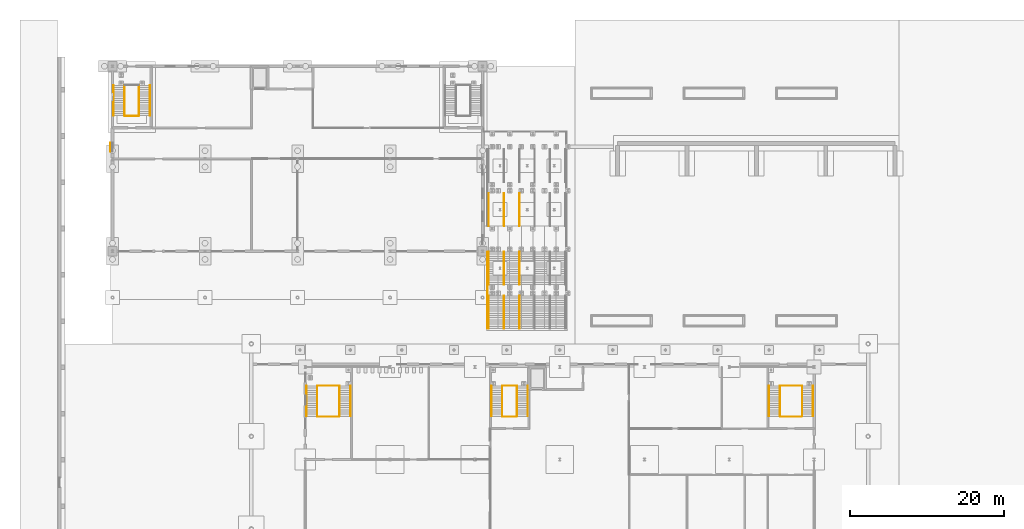
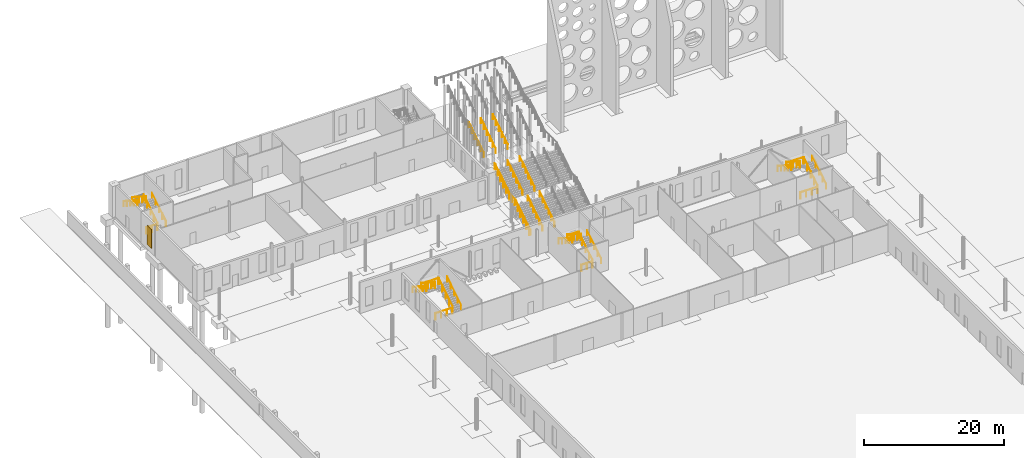
# One storey, part 125 of 132: 33 railings, 1 shading device.
"""IFC4 building model written with IfcOpenShell, lengths in metres."""

from ifc_helpers import new_model, si_unit, direction, frame, origin, origin_2d, place, context, subcontext, project, spatial, rectangle, circle, extrude, material, layer, layer_set, type_object, element, save


model = new_model("IFC4")

# Units and contexts
model_context = context("Model", 3, precision=1e-05, world=origin(), true_north=direction((0.0, 1.0)))
body_context = subcontext(model_context, "Body", "Model", "MODEL_VIEW")
ifc_project = project(units=[si_unit("LENGTHUNIT", "METRE"), si_unit("AREAUNIT", "SQUARE_METRE"), si_unit("VOLUMEUNIT", "CUBIC_METRE"), si_unit("PLANEANGLEUNIT", "RADIAN"), si_unit("MASSUNIT", "GRAM", prefix="KILO")], contexts=[model_context])

# Site, building, storey
site_placement = place(None, origin())
site = spatial("IfcSite", under=ifc_project, at=site_placement, CompositionType="ELEMENT")
building_placement = place(site_placement, origin())
building = spatial("IfcBuilding", under=site, at=building_placement, Name="Ravi Spectrum Wholesale Market", CompositionType="ELEMENT")
storey_placement = place(building_placement, origin())
storey = spatial("IfcBuildingStorey", under=building, at=storey_placement, Name="L00", CompositionType="ELEMENT", Elevation=0.0)

# Railings
ifc_material_1 = material(Name="Steel S355", Category="steel")
railing_type_1 = type_object("IfcRailingType", Name="Guard 1100", PredefinedType="GUARDRAIL", material=ifc_material_1)
railing_1_placement = place(storey_placement, frame((60.64990234375, 200.0, 0.0)))
element("IfcRailing", 1, at=railing_1_placement, inside=storey, type_object=railing_type_1, Name="GW-RL-L00-003", PredefinedType="GUARDRAIL", context=body_context, shape_type="SweptSolid", body=[
    extrude(circle(Radius=0.02392578125, at=origin_2d()), frame((0.0, 0.0, 1.076171875), z_axis=(0.0, 0.841180064094, 0.540755119968), x_axis=(-1.0, 0.0, 0.0)), (0.0, 0.0, 1.0), 4.992919921875),
    extrude(circle(Radius=0.02392578125, at=origin_2d()), frame((0.0, 4.199951171875, 3.77587890625), z_axis=(0.0, 1.0, 0.0), x_axis=(-1.0, 0.0, 0.0)), (0.0, 0.0, 1.0), 1.5),
    extrude(circle(Radius=0.02392578125, at=origin_2d()), frame((0.0, 5.699951171875, 3.77587890625), z_axis=(0.0, 0.841180064094, 0.540755119968), x_axis=(-1.0, 0.0, 0.0)), (0.0, 0.0, 1.0), 4.992919921875),
    extrude(circle(Radius=0.02099609375, at=origin_2d()), origin(), (0.0, 0.0, 1.0), 1.052001953125),
    extrude(circle(Radius=0.02099609375, at=origin_2d()), frame((0.0, 0.840087890625, 0.5400390625)), (0.0, 0.0, 1.0), 1.052001953125),
    extrude(circle(Radius=0.02099609375, at=origin_2d()), frame((0.0, 1.679931640625, 1.080078125)), (0.0, 0.0, 1.0), 1.052001953125),
    extrude(circle(Radius=0.02099609375, at=origin_2d()), frame((0.0, 2.52001953125, 1.619873046875)), (0.0, 0.0, 1.0), 1.052001953125),
    extrude(circle(Radius=0.02099609375, at=origin_2d()), frame((0.0, 3.35986328125, 2.159912109375)), (0.0, 0.0, 1.0), 1.052001953125),
    extrude(circle(Radius=0.02099609375, at=origin_2d()), frame((0.0, 4.199951171875, 2.699951171875)), (0.0, 0.0, 1.0), 1.052001953125),
    extrude(circle(Radius=0.02099609375, at=origin_2d()), frame((0.0, 4.949951171875, 2.699951171875)), (0.0, 0.0, 1.0), 1.052001953125),
    extrude(circle(Radius=0.02099609375, at=origin_2d()), frame((0.0, 5.699951171875, 2.699951171875)), (0.0, 0.0, 1.0), 1.052001953125),
    extrude(circle(Radius=0.02099609375, at=origin_2d()), frame((0.0, 6.5400390625, 3.239990234375)), (0.0, 0.0, 1.0), 1.052001953125),
    extrude(circle(Radius=0.02099609375, at=origin_2d()), frame((0.0, 7.3798828125, 3.780029296875)), (0.0, 0.0, 1.0), 1.052001953125),
    extrude(circle(Radius=0.02099609375, at=origin_2d()), frame((0.0, 8.219970703125, 4.31982421875)), (0.0, 0.0, 1.0), 1.052001953125),
    extrude(circle(Radius=0.02099609375, at=origin_2d()), frame((0.0, 9.059814453125, 4.85986328125)), (0.0, 0.0, 1.0), 1.052001953125),
    extrude(circle(Radius=0.02099609375, at=origin_2d()), frame((0.0, 9.89990234375, 5.39990234375)), (0.0, 0.0, 1.0), 1.052001953125),
])
railing_2_placement = place(storey_placement, frame((41.449951171875, 188.60009765625, 0.179931640625)))
element("IfcRailing", 2, at=railing_2_placement, inside=storey, type_object=railing_type_1, Name="L00 S-H1-1 stair guard 1", PredefinedType="GUARDRAIL", context=body_context, shape_type="SweptSolid", body=[
    extrude(circle(Radius=0.02392578125, at=origin_2d()), frame((0.0, 0.0, 1.076171875), z_axis=(0.0, 0.841171666519, 0.540768182723), x_axis=(-1.0, 0.0, 0.0)), (0.0, 0.0, 1.0), 4.66015625),
    extrude(circle(Radius=0.02099609375, at=origin_2d()), origin(), (0.0, 0.0, 1.0), 1.052001953125),
    extrude(circle(Radius=0.02099609375, at=origin_2d()), frame((0.0, 0.97998046875, 0.6298828125)), (0.0, 0.0, 1.0), 1.052001953125),
    extrude(circle(Radius=0.02099609375, at=origin_2d()), frame((0.0, 1.9599609375, 1.260009765625)), (0.0, 0.0, 1.0), 1.052001953125),
    extrude(circle(Radius=0.02099609375, at=origin_2d()), frame((0.0, 2.93994140625, 1.89013671875)), (0.0, 0.0, 1.0), 1.052001953125),
    extrude(circle(Radius=0.02099609375, at=origin_2d()), frame((0.0, 3.919921875, 2.52001953125)), (0.0, 0.0, 1.0), 1.052001953125),
])
railing_3_placement = place(storey_placement, frame((41.39990234375, 192.570068359375, 2.699951171875)))
element("IfcRailing", 3, at=railing_3_placement, inside=storey, type_object=railing_type_1, Name="L00 S-H1-1 stair guard 2", PredefinedType="GUARDRAIL", context=body_context, shape_type="SweptSolid", body=[
    extrude(circle(Radius=0.02392578125, at=origin_2d()), frame((0.0, 0.0, 1.076171875), z_axis=(-1.0, 0.0, 0.0), x_axis=(0.0, -1.0, 0.0)), (0.0, 0.0, 1.0), 2.7998046875),
    extrude(circle(Radius=0.02099609375, at=origin_2d()), origin(), (0.0, 0.0, 1.0), 1.052001953125),
    extrude(circle(Radius=0.02099609375, at=origin_2d()), frame((-0.933349609375, 0.0, 0.0)), (0.0, 0.0, 1.0), 1.052001953125),
    extrude(circle(Radius=0.02099609375, at=origin_2d()), frame((-1.866455078125, 0.0, 0.0)), (0.0, 0.0, 1.0), 1.052001953125),
    extrude(circle(Radius=0.02099609375, at=origin_2d()), frame((-2.7998046875, 0.0, 0.0)), (0.0, 0.0, 1.0), 1.052001953125),
])
railing_4_placement = place(storey_placement, frame((38.550048828125, 192.52001953125, 2.8798828125)))
element("IfcRailing", 4, at=railing_4_placement, inside=storey, type_object=railing_type_1, Name="L00 S-H1-1 stair guard 3", PredefinedType="GUARDRAIL", context=body_context, shape_type="SweptSolid", body=[
    extrude(circle(Radius=0.02392578125, at=origin_2d()), frame((0.0, 0.0, 1.076171875), z_axis=(0.0, -0.841171666519, 0.540768182723), x_axis=(1.0, 0.0, 0.0)), (0.0, 0.0, 1.0), 4.66015625),
    extrude(circle(Radius=0.02099609375, at=origin_2d()), origin(), (0.0, 0.0, 1.0), 1.052001953125),
    extrude(circle(Radius=0.02099609375, at=origin_2d()), frame((0.0, -0.97998046875, 0.6298828125)), (0.0, 0.0, 1.0), 1.052001953125),
    extrude(circle(Radius=0.02099609375, at=origin_2d()), frame((0.0, -1.9599609375, 1.260009765625)), (0.0, 0.0, 1.0), 1.052001953125),
    extrude(circle(Radius=0.02099609375, at=origin_2d()), frame((0.0, -2.93994140625, 1.89013671875)), (0.0, 0.0, 1.0), 1.052001953125),
    extrude(circle(Radius=0.02099609375, at=origin_2d()), frame((0.0, -3.919921875, 2.52001953125)), (0.0, 0.0, 1.0), 1.052001953125),
])
railing_5_placement = place(storey_placement, frame((41.39990234375, 188.550048828125, 0.0)))
element("IfcRailing", 5, at=railing_5_placement, inside=storey, type_object=railing_type_1, Name="L00 S-H1-1 stair guard 4", PredefinedType="GUARDRAIL", context=body_context, shape_type="SweptSolid", body=[
    extrude(circle(Radius=0.02392578125, at=origin_2d()), frame((0.0, 0.0, 1.076171875), z_axis=(-1.0, 0.0, 0.0), x_axis=(0.0, -1.0, 0.0)), (0.0, 0.0, 1.0), 2.7998046875),
    extrude(circle(Radius=0.02099609375, at=origin_2d()), origin(), (0.0, 0.0, 1.0), 1.052001953125),
    extrude(circle(Radius=0.02099609375, at=origin_2d()), frame((-0.933349609375, 0.0, 0.0)), (0.0, 0.0, 1.0), 1.052001953125),
    extrude(circle(Radius=0.02099609375, at=origin_2d()), frame((-1.866455078125, 0.0, 0.0)), (0.0, 0.0, 1.0), 1.052001953125),
    extrude(circle(Radius=0.02099609375, at=origin_2d()), frame((-2.7998046875, 0.0, 0.0)), (0.0, 0.0, 1.0), 1.052001953125),
])
railing_6_placement = place(storey_placement, frame((101.449951171875, 188.60009765625, 0.179931640625)))
element("IfcRailing", 6, at=railing_6_placement, inside=storey, type_object=railing_type_1, Name="L00 S-H1-2 stair guard 1", PredefinedType="GUARDRAIL", context=body_context, shape_type="SweptSolid", body=[
    extrude(circle(Radius=0.02392578125, at=origin_2d()), frame((0.0, 0.0, 1.076171875), z_axis=(0.0, 0.841171666519, 0.540768182723), x_axis=(-1.0, 0.0, 0.0)), (0.0, 0.0, 1.0), 4.66015625),
    extrude(circle(Radius=0.02099609375, at=origin_2d()), origin(), (0.0, 0.0, 1.0), 1.052001953125),
    extrude(circle(Radius=0.02099609375, at=origin_2d()), frame((0.0, 0.97998046875, 0.6298828125)), (0.0, 0.0, 1.0), 1.052001953125),
    extrude(circle(Radius=0.02099609375, at=origin_2d()), frame((0.0, 1.9599609375, 1.260009765625)), (0.0, 0.0, 1.0), 1.052001953125),
    extrude(circle(Radius=0.02099609375, at=origin_2d()), frame((0.0, 2.93994140625, 1.89013671875)), (0.0, 0.0, 1.0), 1.052001953125),
    extrude(circle(Radius=0.02099609375, at=origin_2d()), frame((0.0, 3.919921875, 2.52001953125)), (0.0, 0.0, 1.0), 1.052001953125),
])
railing_7_placement = place(storey_placement, frame((101.39990234375, 192.570068359375, 2.699951171875)))
element("IfcRailing", 7, at=railing_7_placement, inside=storey, type_object=railing_type_1, Name="L00 S-H1-2 stair guard 2", PredefinedType="GUARDRAIL", context=body_context, shape_type="SweptSolid", body=[
    extrude(circle(Radius=0.02392578125, at=origin_2d()), frame((0.0, 0.0, 1.076171875), z_axis=(-1.0, 0.0, 0.0), x_axis=(0.0, -1.0, 0.0)), (0.0, 0.0, 1.0), 2.7998046875),
    extrude(circle(Radius=0.02099609375, at=origin_2d()), origin(), (0.0, 0.0, 1.0), 1.052001953125),
    extrude(circle(Radius=0.02099609375, at=origin_2d()), frame((-0.933349609375, 0.0, 0.0)), (0.0, 0.0, 1.0), 1.052001953125),
    extrude(circle(Radius=0.02099609375, at=origin_2d()), frame((-1.866455078125, 0.0, 0.0)), (0.0, 0.0, 1.0), 1.052001953125),
    extrude(circle(Radius=0.02099609375, at=origin_2d()), frame((-2.7998046875, 0.0, 0.0)), (0.0, 0.0, 1.0), 1.052001953125),
])
railing_8_placement = place(storey_placement, frame((98.550048828125, 192.52001953125, 2.8798828125)))
element("IfcRailing", 8, at=railing_8_placement, inside=storey, type_object=railing_type_1, Name="L00 S-H1-2 stair guard 3", PredefinedType="GUARDRAIL", context=body_context, shape_type="SweptSolid", body=[
    extrude(circle(Radius=0.02392578125, at=origin_2d()), frame((0.0, 0.0, 1.076171875), z_axis=(0.0, -0.841171666519, 0.540768182723), x_axis=(1.0, 0.0, 0.0)), (0.0, 0.0, 1.0), 4.66015625),
    extrude(circle(Radius=0.02099609375, at=origin_2d()), origin(), (0.0, 0.0, 1.0), 1.052001953125),
    extrude(circle(Radius=0.02099609375, at=origin_2d()), frame((0.0, -0.97998046875, 0.6298828125)), (0.0, 0.0, 1.0), 1.052001953125),
    extrude(circle(Radius=0.02099609375, at=origin_2d()), frame((0.0, -1.9599609375, 1.260009765625)), (0.0, 0.0, 1.0), 1.052001953125),
    extrude(circle(Radius=0.02099609375, at=origin_2d()), frame((0.0, -2.93994140625, 1.89013671875)), (0.0, 0.0, 1.0), 1.052001953125),
    extrude(circle(Radius=0.02099609375, at=origin_2d()), frame((0.0, -3.919921875, 2.52001953125)), (0.0, 0.0, 1.0), 1.052001953125),
])
railing_9_placement = place(storey_placement, frame((101.39990234375, 188.550048828125, 0.0)))
element("IfcRailing", 9, at=railing_9_placement, inside=storey, type_object=railing_type_1, Name="L00 S-H1-2 stair guard 4", PredefinedType="GUARDRAIL", context=body_context, shape_type="SweptSolid", body=[
    extrude(circle(Radius=0.02392578125, at=origin_2d()), frame((0.0, 0.0, 1.076171875), z_axis=(-1.0, 0.0, 0.0), x_axis=(0.0, -1.0, 0.0)), (0.0, 0.0, 1.0), 2.7998046875),
    extrude(circle(Radius=0.02099609375, at=origin_2d()), origin(), (0.0, 0.0, 1.0), 1.052001953125),
    extrude(circle(Radius=0.02099609375, at=origin_2d()), frame((-0.933349609375, 0.0, 0.0)), (0.0, 0.0, 1.0), 1.052001953125),
    extrude(circle(Radius=0.02099609375, at=origin_2d()), frame((-1.866455078125, 0.0, 0.0)), (0.0, 0.0, 1.0), 1.052001953125),
    extrude(circle(Radius=0.02099609375, at=origin_2d()), frame((-2.7998046875, 0.0, 0.0)), (0.0, 0.0, 1.0), 1.052001953125),
])
railing_10_placement = place(storey_placement, frame((64.449951171875, 188.60009765625, 0.179931640625)))
element("IfcRailing", 10, at=railing_10_placement, inside=storey, type_object=railing_type_1, Name="L00 S-H1-3 stair guard 1", PredefinedType="GUARDRAIL", context=body_context, shape_type="SweptSolid", body=[
    extrude(circle(Radius=0.02392578125, at=origin_2d()), frame((0.0, 0.0, 1.076171875), z_axis=(0.0, 0.841171666519, 0.540768182723), x_axis=(-1.0, 0.0, 0.0)), (0.0, 0.0, 1.0), 4.66015625),
    extrude(circle(Radius=0.02099609375, at=origin_2d()), origin(), (0.0, 0.0, 1.0), 1.052001953125),
    extrude(circle(Radius=0.02099609375, at=origin_2d()), frame((0.0, 0.97998046875, 0.6298828125)), (0.0, 0.0, 1.0), 1.052001953125),
    extrude(circle(Radius=0.02099609375, at=origin_2d()), frame((0.0, 1.9599609375, 1.260009765625)), (0.0, 0.0, 1.0), 1.052001953125),
    extrude(circle(Radius=0.02099609375, at=origin_2d()), frame((0.0, 2.93994140625, 1.89013671875)), (0.0, 0.0, 1.0), 1.052001953125),
    extrude(circle(Radius=0.02099609375, at=origin_2d()), frame((0.0, 3.919921875, 2.52001953125)), (0.0, 0.0, 1.0), 1.052001953125),
])
railing_11_placement = place(storey_placement, frame((64.39990234375, 192.570068359375, 2.699951171875)))
element("IfcRailing", 11, at=railing_11_placement, inside=storey, type_object=railing_type_1, Name="L00 S-H1-3 stair guard 2", PredefinedType="GUARDRAIL", context=body_context, shape_type="SweptSolid", body=[
    extrude(circle(Radius=0.02392578125, at=origin_2d()), frame((0.0, 0.0, 1.076171875), z_axis=(-1.0, 0.0, 0.0), x_axis=(0.0, -1.0, 0.0)), (0.0, 0.0, 1.0), 1.7998046875),
    extrude(circle(Radius=0.02099609375, at=origin_2d()), origin(), (0.0, 0.0, 1.0), 1.052001953125),
    extrude(circle(Radius=0.02099609375, at=origin_2d()), frame((-0.89990234375, 0.0, 0.0)), (0.0, 0.0, 1.0), 1.052001953125),
    extrude(circle(Radius=0.02099609375, at=origin_2d()), frame((-1.7998046875, 0.0, 0.0)), (0.0, 0.0, 1.0), 1.052001953125),
])
railing_12_placement = place(storey_placement, frame((62.550048828125, 192.52001953125, 2.8798828125)))
element("IfcRailing", 12, at=railing_12_placement, inside=storey, type_object=railing_type_1, Name="L00 S-H1-3 stair guard 3", PredefinedType="GUARDRAIL", context=body_context, shape_type="SweptSolid", body=[
    extrude(circle(Radius=0.02392578125, at=origin_2d()), frame((0.0, 0.0, 1.076171875), z_axis=(0.0, -0.841171666519, 0.540768182723), x_axis=(1.0, 0.0, 0.0)), (0.0, 0.0, 1.0), 4.66015625),
    extrude(circle(Radius=0.02099609375, at=origin_2d()), origin(), (0.0, 0.0, 1.0), 1.052001953125),
    extrude(circle(Radius=0.02099609375, at=origin_2d()), frame((0.0, -0.97998046875, 0.6298828125)), (0.0, 0.0, 1.0), 1.052001953125),
    extrude(circle(Radius=0.02099609375, at=origin_2d()), frame((0.0, -1.9599609375, 1.260009765625)), (0.0, 0.0, 1.0), 1.052001953125),
    extrude(circle(Radius=0.02099609375, at=origin_2d()), frame((0.0, -2.93994140625, 1.89013671875)), (0.0, 0.0, 1.0), 1.052001953125),
    extrude(circle(Radius=0.02099609375, at=origin_2d()), frame((0.0, -3.919921875, 2.52001953125)), (0.0, 0.0, 1.0), 1.052001953125),
])
railing_13_placement = place(storey_placement, frame((64.39990234375, 188.550048828125, 0.0)))
element("IfcRailing", 13, at=railing_13_placement, inside=storey, type_object=railing_type_1, Name="L00 S-H1-3 stair guard 4", PredefinedType="GUARDRAIL", context=body_context, shape_type="SweptSolid", body=[
    extrude(circle(Radius=0.02392578125, at=origin_2d()), frame((0.0, 0.0, 1.076171875), z_axis=(-1.0, 0.0, 0.0), x_axis=(0.0, -1.0, 0.0)), (0.0, 0.0, 1.0), 1.7998046875),
    extrude(circle(Radius=0.02099609375, at=origin_2d()), origin(), (0.0, 0.0, 1.0), 1.052001953125),
    extrude(circle(Radius=0.02099609375, at=origin_2d()), frame((-0.89990234375, 0.0, 0.0)), (0.0, 0.0, 1.0), 1.052001953125),
    extrude(circle(Radius=0.02099609375, at=origin_2d()), frame((-1.7998046875, 0.0, 0.0)), (0.0, 0.0, 1.0), 1.052001953125),
])
railing_14_placement = place(storey_placement, frame((15.449951171875, 227.60009765625, 0.179931640625)))
element("IfcRailing", 14, at=railing_14_placement, inside=storey, type_object=railing_type_1, Name="L00 S-OF-1 stair guard 1", PredefinedType="GUARDRAIL", context=body_context, shape_type="SweptSolid", body=[
    extrude(circle(Radius=0.02392578125, at=origin_2d()), frame((0.0, 0.0, 1.076171875), z_axis=(0.0, 0.841171666519, 0.540768182723), x_axis=(-1.0, 0.0, 0.0)), (0.0, 0.0, 1.0), 4.66015625),
    extrude(circle(Radius=0.02099609375, at=origin_2d()), origin(), (0.0, 0.0, 1.0), 1.052001953125),
    extrude(circle(Radius=0.02099609375, at=origin_2d()), frame((0.0, 0.97998046875, 0.6298828125)), (0.0, 0.0, 1.0), 1.052001953125),
    extrude(circle(Radius=0.02099609375, at=origin_2d()), frame((0.0, 1.9599609375, 1.260009765625)), (0.0, 0.0, 1.0), 1.052001953125),
    extrude(circle(Radius=0.02099609375, at=origin_2d()), frame((0.0, 2.93994140625, 1.89013671875)), (0.0, 0.0, 1.0), 1.052001953125),
    extrude(circle(Radius=0.02099609375, at=origin_2d()), frame((0.0, 3.919921875, 2.52001953125)), (0.0, 0.0, 1.0), 1.052001953125),
])
railing_15_placement = place(storey_placement, frame((13.550048828125, 231.52001953125, 2.8798828125)))
element("IfcRailing", 15, at=railing_15_placement, inside=storey, type_object=railing_type_1, Name="L00 S-OF-1 stair guard 3", PredefinedType="GUARDRAIL", context=body_context, shape_type="SweptSolid", body=[
    extrude(circle(Radius=0.02392578125, at=origin_2d()), frame((0.0, 0.0, 1.076171875), z_axis=(0.0, -0.841171666519, 0.540768182723), x_axis=(1.0, 0.0, 0.0)), (0.0, 0.0, 1.0), 4.66015625),
    extrude(circle(Radius=0.02099609375, at=origin_2d()), origin(), (0.0, 0.0, 1.0), 1.052001953125),
    extrude(circle(Radius=0.02099609375, at=origin_2d()), frame((0.0, -0.97998046875, 0.6298828125)), (0.0, 0.0, 1.0), 1.052001953125),
    extrude(circle(Radius=0.02099609375, at=origin_2d()), frame((0.0, -1.9599609375, 1.260009765625)), (0.0, 0.0, 1.0), 1.052001953125),
    extrude(circle(Radius=0.02099609375, at=origin_2d()), frame((0.0, -2.93994140625, 1.89013671875)), (0.0, 0.0, 1.0), 1.052001953125),
    extrude(circle(Radius=0.02099609375, at=origin_2d()), frame((0.0, -3.919921875, 2.52001953125)), (0.0, 0.0, 1.0), 1.052001953125),
])
railing_16_placement = place(storey_placement, frame((15.39990234375, 227.550048828125, 0.0)))
element("IfcRailing", 16, at=railing_16_placement, inside=storey, type_object=railing_type_1, Name="L00 S-OF-1 stair guard 4", PredefinedType="GUARDRAIL", context=body_context, shape_type="SweptSolid", body=[
    extrude(circle(Radius=0.02392578125, at=origin_2d()), frame((0.0, 0.0, 1.076171875), z_axis=(-1.0, 0.0, 0.0), x_axis=(0.0, -1.0, 0.0)), (0.0, 0.0, 1.0), 1.7998046875),
    extrude(circle(Radius=0.02099609375, at=origin_2d()), origin(), (0.0, 0.0, 1.0), 1.052001953125),
    extrude(circle(Radius=0.02099609375, at=origin_2d()), frame((-0.89990234375, 0.0, 0.0)), (0.0, 0.0, 1.0), 1.052001953125),
    extrude(circle(Radius=0.02099609375, at=origin_2d()), frame((-1.7998046875, 0.0, 0.0)), (0.0, 0.0, 1.0), 1.052001953125),
])
ifc_material_2 = material(Name="Stainless steel", Category="steel")
railing_type_2 = type_object("IfcRailingType", Name="Handrail 900", PredefinedType="HANDRAIL", material=ifc_material_2)
for number, where, name in (
    (17, (60.800048828125, 200.0, 0.0), "GW-RL-L00-005"),
    (18, (62.787109375, 200.0, 0.0), "GW-RL-L00-006"),
    (19, (64.77392578125, 200.0, 0.0), "GW-RL-L00-007"),
    (20, (60.800048828125, 205.699951171875, 2.699951171875), "GW-RL-L00-011"),
    (21, (62.787109375, 205.699951171875, 2.699951171875), "GW-RL-L00-012"),
    (22, (64.77392578125, 205.699951171875, 2.699951171875), "GW-RL-L00-013"),
):
    element("IfcRailing", number, at=place(storey_placement, frame(where)), inside=storey, type_object=railing_type_2, Name=name, PredefinedType="HANDRAIL", context=body_context, shape_type="SweptSolid", body=[
        extrude(circle(Radius=0.02392578125, at=origin_2d()), frame((0.0, 0.0, 0.8759765625), z_axis=(0.0, 0.841180064094, 0.540755119968), x_axis=(-1.0, 0.0, 0.0)), (0.0, 0.0, 1.0), 4.992919921875),
        extrude(circle(Radius=0.02099609375, at=origin_2d()), origin(), (0.0, 0.0, 1.0), 0.851806640625),
        extrude(circle(Radius=0.02099609375, at=origin_2d()), frame((0.0, 0.840087890625, 0.5400390625)), (0.0, 0.0, 1.0), 0.851806640625),
        extrude(circle(Radius=0.02099609375, at=origin_2d()), frame((0.0, 1.679931640625, 1.080078125)), (0.0, 0.0, 1.0), 0.851806640625),
        extrude(circle(Radius=0.02099609375, at=origin_2d()), frame((0.0, 2.52001953125, 1.619873046875)), (0.0, 0.0, 1.0), 0.851806640625),
        extrude(circle(Radius=0.02099609375, at=origin_2d()), frame((0.0, 3.35986328125, 2.159912109375)), (0.0, 0.0, 1.0), 0.851806640625),
        extrude(circle(Radius=0.02099609375, at=origin_2d()), frame((0.0, 4.199951171875, 2.699951171875)), (0.0, 0.0, 1.0), 0.851806640625),
    ])
for number, where, name in (
    (23, (60.800048828125, 213.300048828125, 5.39990234375), "GW-RL-L00-017"),
    (24, (62.787109375, 213.300048828125, 5.39990234375), "GW-RL-L00-018"),
    (25, (64.77392578125, 213.300048828125, 5.39990234375), "GW-RL-L00-019"),
):
    element("IfcRailing", number, at=place(storey_placement, frame(where)), inside=storey, type_object=railing_type_2, Name=name, PredefinedType="HANDRAIL", context=body_context, shape_type="SweptSolid", body=[
        extrude(circle(Radius=0.02392578125, at=origin_2d()), frame((0.0, 0.0, 0.8759765625), z_axis=(0.0, 0.841157821942, 0.54078971753), x_axis=(-1.0, 0.0, 0.0)), (0.0, 0.0, 1.0), 4.9931640625),
        extrude(circle(Radius=0.02099609375, at=origin_2d()), origin(), (0.0, 0.0, 1.0), 0.851806640625),
        extrude(circle(Radius=0.02099609375, at=origin_2d()), frame((0.0, 0.840087890625, 0.5400390625)), (0.0, 0.0, 1.0), 0.851806640625),
        extrude(circle(Radius=0.02099609375, at=origin_2d()), frame((0.0, 1.679931640625, 1.080078125)), (0.0, 0.0, 1.0), 0.851806640625),
        extrude(circle(Radius=0.02099609375, at=origin_2d()), frame((0.0, 2.52001953125, 1.6201171875)), (0.0, 0.0, 1.0), 0.851806640625),
        extrude(circle(Radius=0.02099609375, at=origin_2d()), frame((0.0, 3.35986328125, 2.16015625)), (0.0, 0.0, 1.0), 0.851806640625),
        extrude(circle(Radius=0.02099609375, at=origin_2d()), frame((0.0, 4.199951171875, 2.7001953125)), (0.0, 0.0, 1.0), 0.851806640625),
    ])
railing_17_placement = place(storey_placement, frame((42.85009765625, 188.60009765625, 0.179931640625)))
element("IfcRailing", 26, at=railing_17_placement, inside=storey, type_object=railing_type_2, Name="L00 S-H1-1 stair handrail 1", PredefinedType="HANDRAIL", context=body_context, shape_type="SweptSolid", body=[
    extrude(circle(Radius=0.02392578125, at=origin_2d()), frame((0.0, 0.0, 0.8759765625), z_axis=(0.0, 0.841171666519, 0.540768182723), x_axis=(-1.0, 0.0, 0.0)), (0.0, 0.0, 1.0), 4.66015625),
    extrude(circle(Radius=0.02099609375, at=origin_2d()), origin(), (0.0, 0.0, 1.0), 0.851806640625),
    extrude(circle(Radius=0.02099609375, at=origin_2d()), frame((0.0, 0.97998046875, 0.6298828125)), (0.0, 0.0, 1.0), 0.851806640625),
    extrude(circle(Radius=0.02099609375, at=origin_2d()), frame((0.0, 1.9599609375, 1.260009765625)), (0.0, 0.0, 1.0), 0.851806640625),
    extrude(circle(Radius=0.02099609375, at=origin_2d()), frame((0.0, 2.93994140625, 1.89013671875)), (0.0, 0.0, 1.0), 0.851806640625),
    extrude(circle(Radius=0.02099609375, at=origin_2d()), frame((0.0, 3.919921875, 2.52001953125)), (0.0, 0.0, 1.0), 0.851806640625),
])
railing_18_placement = place(storey_placement, frame((37.14990234375, 192.52001953125, 2.8798828125)))
element("IfcRailing", 27, at=railing_18_placement, inside=storey, type_object=railing_type_2, Name="L00 S-H1-1 stair handrail 2", PredefinedType="HANDRAIL", context=body_context, shape_type="SweptSolid", body=[
    extrude(circle(Radius=0.02392578125, at=origin_2d()), frame((0.0, 0.0, 0.8759765625), z_axis=(0.0, -0.841171666519, 0.540768182723), x_axis=(1.0, 0.0, 0.0)), (0.0, 0.0, 1.0), 4.66015625),
    extrude(circle(Radius=0.02099609375, at=origin_2d()), origin(), (0.0, 0.0, 1.0), 0.851806640625),
    extrude(circle(Radius=0.02099609375, at=origin_2d()), frame((0.0, -0.97998046875, 0.6298828125)), (0.0, 0.0, 1.0), 0.851806640625),
    extrude(circle(Radius=0.02099609375, at=origin_2d()), frame((0.0, -1.9599609375, 1.260009765625)), (0.0, 0.0, 1.0), 0.851806640625),
    extrude(circle(Radius=0.02099609375, at=origin_2d()), frame((0.0, -2.93994140625, 1.89013671875)), (0.0, 0.0, 1.0), 0.851806640625),
    extrude(circle(Radius=0.02099609375, at=origin_2d()), frame((0.0, -3.919921875, 2.52001953125)), (0.0, 0.0, 1.0), 0.851806640625),
])
railing_19_placement = place(storey_placement, frame((102.85009765625, 188.60009765625, 0.179931640625)))
element("IfcRailing", 28, at=railing_19_placement, inside=storey, type_object=railing_type_2, Name="L00 S-H1-2 stair handrail 1", PredefinedType="HANDRAIL", context=body_context, shape_type="SweptSolid", body=[
    extrude(circle(Radius=0.02392578125, at=origin_2d()), frame((0.0, 0.0, 0.8759765625), z_axis=(0.0, 0.841171666519, 0.540768182723), x_axis=(-1.0, 0.0, 0.0)), (0.0, 0.0, 1.0), 4.66015625),
    extrude(circle(Radius=0.02099609375, at=origin_2d()), origin(), (0.0, 0.0, 1.0), 0.851806640625),
    extrude(circle(Radius=0.02099609375, at=origin_2d()), frame((0.0, 0.97998046875, 0.6298828125)), (0.0, 0.0, 1.0), 0.851806640625),
    extrude(circle(Radius=0.02099609375, at=origin_2d()), frame((0.0, 1.9599609375, 1.260009765625)), (0.0, 0.0, 1.0), 0.851806640625),
    extrude(circle(Radius=0.02099609375, at=origin_2d()), frame((0.0, 2.93994140625, 1.89013671875)), (0.0, 0.0, 1.0), 0.851806640625),
    extrude(circle(Radius=0.02099609375, at=origin_2d()), frame((0.0, 3.919921875, 2.52001953125)), (0.0, 0.0, 1.0), 0.851806640625),
])
railing_20_placement = place(storey_placement, frame((97.14990234375, 192.52001953125, 2.8798828125)))
element("IfcRailing", 29, at=railing_20_placement, inside=storey, type_object=railing_type_2, Name="L00 S-H1-2 stair handrail 2", PredefinedType="HANDRAIL", context=body_context, shape_type="SweptSolid", body=[
    extrude(circle(Radius=0.02392578125, at=origin_2d()), frame((0.0, 0.0, 0.8759765625), z_axis=(0.0, -0.841171666519, 0.540768182723), x_axis=(1.0, 0.0, 0.0)), (0.0, 0.0, 1.0), 4.66015625),
    extrude(circle(Radius=0.02099609375, at=origin_2d()), origin(), (0.0, 0.0, 1.0), 0.851806640625),
    extrude(circle(Radius=0.02099609375, at=origin_2d()), frame((0.0, -0.97998046875, 0.6298828125)), (0.0, 0.0, 1.0), 0.851806640625),
    extrude(circle(Radius=0.02099609375, at=origin_2d()), frame((0.0, -1.9599609375, 1.260009765625)), (0.0, 0.0, 1.0), 0.851806640625),
    extrude(circle(Radius=0.02099609375, at=origin_2d()), frame((0.0, -2.93994140625, 1.89013671875)), (0.0, 0.0, 1.0), 0.851806640625),
    extrude(circle(Radius=0.02099609375, at=origin_2d()), frame((0.0, -3.919921875, 2.52001953125)), (0.0, 0.0, 1.0), 0.851806640625),
])
railing_21_placement = place(storey_placement, frame((65.85009765625, 188.60009765625, 0.179931640625)))
element("IfcRailing", 30, at=railing_21_placement, inside=storey, type_object=railing_type_2, Name="L00 S-H1-3 stair handrail 1", PredefinedType="HANDRAIL", context=body_context, shape_type="SweptSolid", body=[
    extrude(circle(Radius=0.02392578125, at=origin_2d()), frame((0.0, 0.0, 0.8759765625), z_axis=(0.0, 0.841171666519, 0.540768182723), x_axis=(-1.0, 0.0, 0.0)), (0.0, 0.0, 1.0), 4.66015625),
    extrude(circle(Radius=0.02099609375, at=origin_2d()), origin(), (0.0, 0.0, 1.0), 0.851806640625),
    extrude(circle(Radius=0.02099609375, at=origin_2d()), frame((0.0, 0.97998046875, 0.6298828125)), (0.0, 0.0, 1.0), 0.851806640625),
    extrude(circle(Radius=0.02099609375, at=origin_2d()), frame((0.0, 1.9599609375, 1.260009765625)), (0.0, 0.0, 1.0), 0.851806640625),
    extrude(circle(Radius=0.02099609375, at=origin_2d()), frame((0.0, 2.93994140625, 1.89013671875)), (0.0, 0.0, 1.0), 0.851806640625),
    extrude(circle(Radius=0.02099609375, at=origin_2d()), frame((0.0, 3.919921875, 2.52001953125)), (0.0, 0.0, 1.0), 0.851806640625),
])
railing_22_placement = place(storey_placement, frame((61.14990234375, 192.52001953125, 2.8798828125)))
element("IfcRailing", 31, at=railing_22_placement, inside=storey, type_object=railing_type_2, Name="L00 S-H1-3 stair handrail 2", PredefinedType="HANDRAIL", context=body_context, shape_type="SweptSolid", body=[
    extrude(circle(Radius=0.02392578125, at=origin_2d()), frame((0.0, 0.0, 0.8759765625), z_axis=(0.0, -0.841171666519, 0.540768182723), x_axis=(1.0, 0.0, 0.0)), (0.0, 0.0, 1.0), 4.66015625),
    extrude(circle(Radius=0.02099609375, at=origin_2d()), origin(), (0.0, 0.0, 1.0), 0.851806640625),
    extrude(circle(Radius=0.02099609375, at=origin_2d()), frame((0.0, -0.97998046875, 0.6298828125)), (0.0, 0.0, 1.0), 0.851806640625),
    extrude(circle(Radius=0.02099609375, at=origin_2d()), frame((0.0, -1.9599609375, 1.260009765625)), (0.0, 0.0, 1.0), 0.851806640625),
    extrude(circle(Radius=0.02099609375, at=origin_2d()), frame((0.0, -2.93994140625, 1.89013671875)), (0.0, 0.0, 1.0), 0.851806640625),
    extrude(circle(Radius=0.02099609375, at=origin_2d()), frame((0.0, -3.919921875, 2.52001953125)), (0.0, 0.0, 1.0), 0.851806640625),
])
railing_23_placement = place(storey_placement, frame((16.85009765625, 227.60009765625, 0.179931640625)))
element("IfcRailing", 32, at=railing_23_placement, inside=storey, type_object=railing_type_2, Name="L00 S-OF-1 stair handrail 1", PredefinedType="HANDRAIL", context=body_context, shape_type="SweptSolid", body=[
    extrude(circle(Radius=0.02392578125, at=origin_2d()), frame((0.0, 0.0, 0.8759765625), z_axis=(0.0, 0.841171666519, 0.540768182723), x_axis=(-1.0, 0.0, 0.0)), (0.0, 0.0, 1.0), 4.66015625),
    extrude(circle(Radius=0.02099609375, at=origin_2d()), origin(), (0.0, 0.0, 1.0), 0.851806640625),
    extrude(circle(Radius=0.02099609375, at=origin_2d()), frame((0.0, 0.97998046875, 0.6298828125)), (0.0, 0.0, 1.0), 0.851806640625),
    extrude(circle(Radius=0.02099609375, at=origin_2d()), frame((0.0, 1.9599609375, 1.260009765625)), (0.0, 0.0, 1.0), 0.851806640625),
    extrude(circle(Radius=0.02099609375, at=origin_2d()), frame((0.0, 2.93994140625, 1.89013671875)), (0.0, 0.0, 1.0), 0.851806640625),
    extrude(circle(Radius=0.02099609375, at=origin_2d()), frame((0.0, 3.919921875, 2.52001953125)), (0.0, 0.0, 1.0), 0.851806640625),
])
railing_24_placement = place(storey_placement, frame((12.14990234375, 231.52001953125, 2.8798828125)))
element("IfcRailing", 33, at=railing_24_placement, inside=storey, type_object=railing_type_2, Name="L00 S-OF-1 stair handrail 2", PredefinedType="HANDRAIL", context=body_context, shape_type="SweptSolid", body=[
    extrude(circle(Radius=0.02392578125, at=origin_2d()), frame((0.0, 0.0, 0.8759765625), z_axis=(0.0, -0.841171666519, 0.540768182723), x_axis=(1.0, 0.0, 0.0)), (0.0, 0.0, 1.0), 4.66015625),
    extrude(circle(Radius=0.02099609375, at=origin_2d()), origin(), (0.0, 0.0, 1.0), 0.851806640625),
    extrude(circle(Radius=0.02099609375, at=origin_2d()), frame((0.0, -0.97998046875, 0.6298828125)), (0.0, 0.0, 1.0), 0.851806640625),
    extrude(circle(Radius=0.02099609375, at=origin_2d()), frame((0.0, -1.9599609375, 1.260009765625)), (0.0, 0.0, 1.0), 0.851806640625),
    extrude(circle(Radius=0.02099609375, at=origin_2d()), frame((0.0, -2.93994140625, 1.89013671875)), (0.0, 0.0, 1.0), 0.851806640625),
    extrude(circle(Radius=0.02099609375, at=origin_2d()), frame((0.0, -3.919921875, 2.52001953125)), (0.0, 0.0, 1.0), 0.851806640625),
])

# Shading device
ifc_material_3 = material(Name="Perforated clinker brickwork", Category="masonry")
ifc_layer = layer(ifc_material_3, 0.114990234375)
ifc_layer_set = layer_set([ifc_layer], Name="Perforated clinker brickwork")
shading_device_type = type_object("IfcShadingDeviceType", Name="Jali brick screen panel 115", PredefinedType="USERDEFINED", material=ifc_layer_set)
shading_device_placement = place(storey_placement, frame((11.7724609375, 223.5, 0.89990234375), z_axis=(0.0, 0.0, 1.0), x_axis=(1.0, 0.0, 0.0)))
element("IfcShadingDevice", 34, at=shading_device_placement, inside=storey, type_object=shading_device_type, Name="Jali screen", ObjectType="SCREEN", PredefinedType="USERDEFINED", context=body_context, shape_type="SweptSolid", body=[
    extrude(rectangle(XDim=0.114990234375, YDim=1.199951171875, at=origin_2d()), origin(), (0.0, 0.0, 1.0), 3.300048828125),
])

save(model, "model.ifc")
